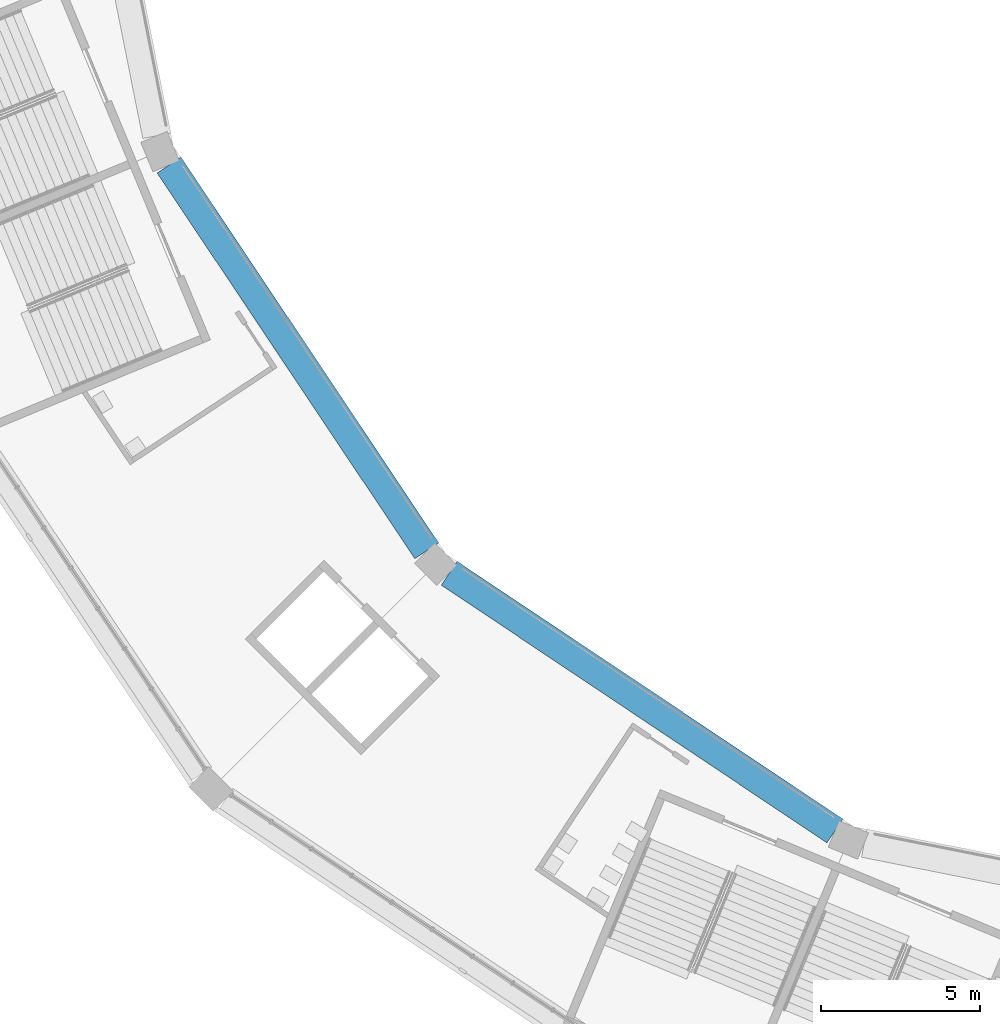
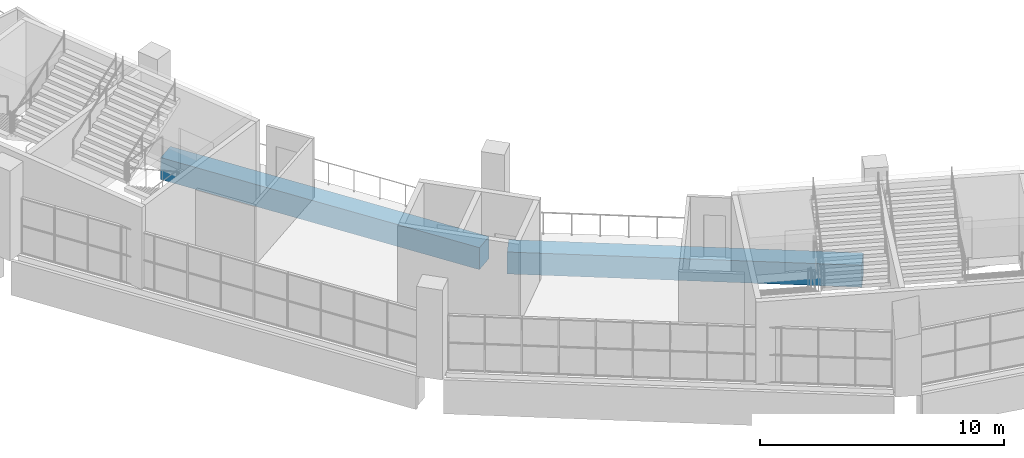
# One storey, part 4 of 177: 2 beams.
"""IFC4 building model written with IfcOpenShell, lengths in metres."""

from ifc_helpers import new_model, si_unit, direction, frame, origin, origin_2d, place, context, subcontext, project, spatial, rectangle, extrude, material, material_profile, profile_set, type_object, element, save


model = new_model("IFC4")

# Units and contexts
model_context = context("Model", 3, precision=1e-05, world=origin(), true_north=direction((0.0, 1.0)))
body_context = subcontext(model_context, "Body", "Model", "MODEL_VIEW")
ifc_project = project(units=[si_unit("LENGTHUNIT", "METRE"), si_unit("AREAUNIT", "SQUARE_METRE"), si_unit("VOLUMEUNIT", "CUBIC_METRE"), si_unit("PLANEANGLEUNIT", "RADIAN"), si_unit("MASSUNIT", "GRAM", prefix="KILO")], contexts=[model_context])

# Site, building, storey
site_placement = place(None, origin())
site = spatial("IfcSite", under=ifc_project, at=site_placement, CompositionType="ELEMENT")
building_placement = place(site_placement, origin())
building = spatial("IfcBuilding", under=site, at=building_placement, Name="Ogive Plaza Stadium", CompositionType="ELEMENT")
storey_placement = place(building_placement, frame((0.0, 0.0, 18.0)))
storey = spatial("IfcBuildingStorey", under=building, at=storey_placement, Name="L04", CompositionType="ELEMENT", Elevation=18.0)

# Beams
ifc_material = material(Name="Concrete C40/50", Category="concrete")
ifc_material_profile = material_profile(ifc_material, rectangle(XDim=0.89990234375, YDim=1.10009765625, at=origin_2d()), Name="RC 900x1100")
ifc_profile_set = profile_set([ifc_material_profile], Name="Concrete C40/50")
beam_type = type_object("IfcBeamType", Name="RC ring beam 900x1100", PredefinedType="BEAM", material=ifc_profile_set)
for number, where, z_axis, x_axis, name in (
    (1, (-49.731201171875, -89.171875, -0.9599609375), (-0.831467933961, 0.555572744827, 0.0), (-0.555572744827, -0.831467933961, 0.0), "Ring beam F4 L04 B18"),
    (2, (-62.5673828125, -80.3603515625, -0.9599609375), (-0.555572744827, 0.831467933961, 0.0), (-0.831467933961, -0.555572744827, 0.0), "Ring beam F4 L04 B19"),
):
    element("IfcBeam", number, at=place(storey_placement, frame(where, z_axis=z_axis, x_axis=x_axis)), inside=storey, type_object=beam_type, Name=name, PredefinedType="BEAM", context=body_context, shape_type="SweptSolid", body=[
        extrude(rectangle(XDim=0.89990234375, YDim=1.10009765625, at=origin_2d()), origin(), (0.0, 0.0, 1.0), 14.587646484375),
    ])

save(model, "model.ifc")
